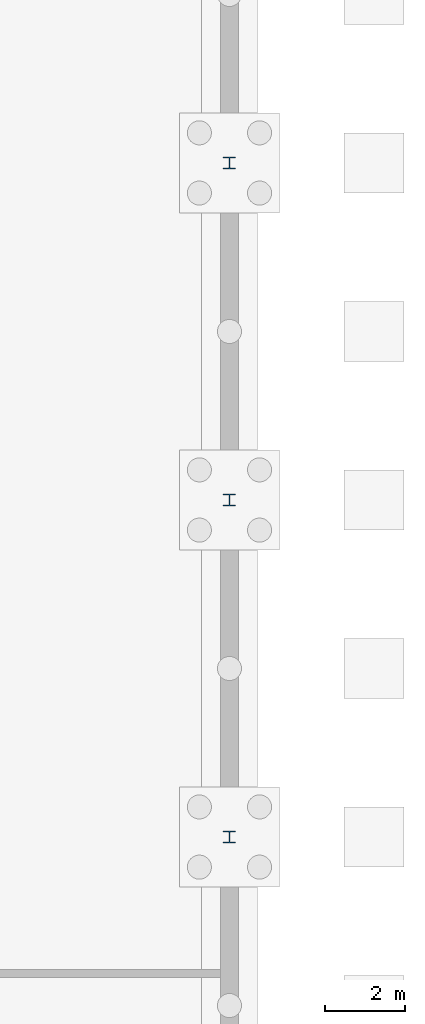
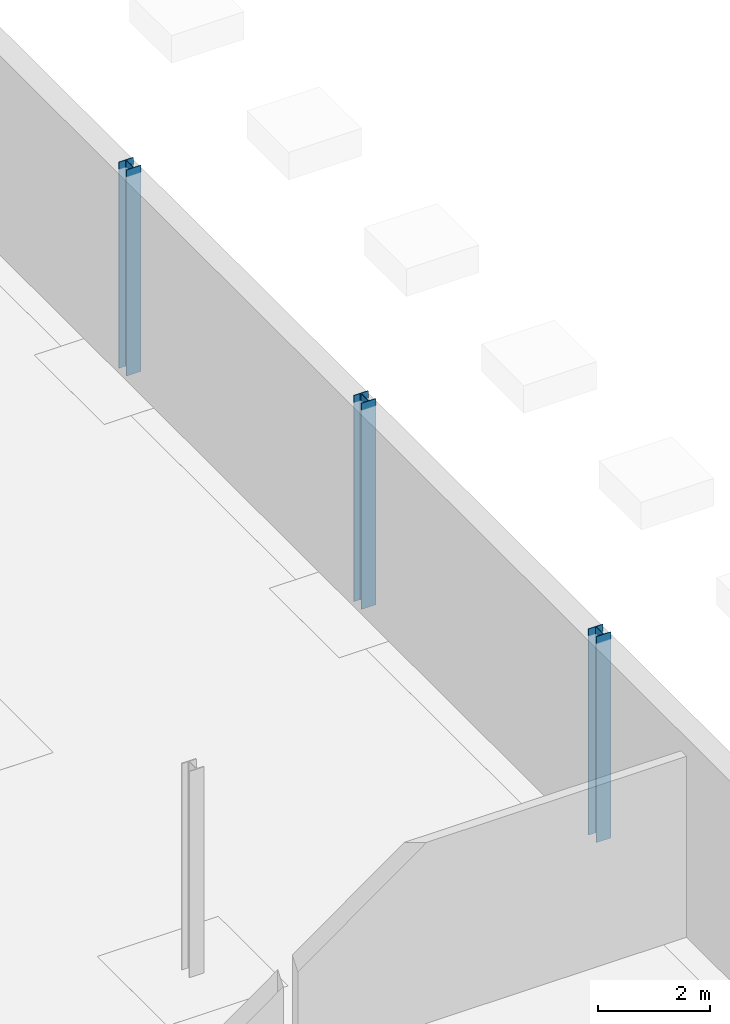
# One storey, part 15 of 35: 3 columns.
"""IFC4 building model written with IfcOpenShell, lengths in metres."""

import ifcopenshell
import ifcopenshell.guid

model = None  # the IFC model being written
_history = None  # IfcOwnerHistory: only IFC2X3 demands one
_inside = {}  # id of a spatial element -> (the spatial element, [elements in it])
_under = {}  # id of a project, library or spatial element -> (it, [spatial elements below it])
_declared = {}  # id of a project -> (the project, [libraries it declares])
_typed = {}  # id of a type object -> (the type object, [elements of that type])
_made_of = {}  # id of a material, layer set ... -> (it, [elements and type objects made of it])


def new_model(schema):
    """Start an empty IFC model of exactly this schema.

    Asked for "IFC4X3", IfcOpenShell would pick the latest addendum, in which some entities
    have other attributes; the version numbers below select the first issue.
    IFC2X3 requires an IfcOwnerHistory on every rooted entity: one is made here for all.
    """
    global model, _history
    if schema == "IFC4X3":
        model = ifcopenshell.file(schema_version=(4, 3, 0, 0))
    else:
        model = ifcopenshell.file(schema=schema)
    _inside.clear()
    _under.clear()
    _declared.clear()
    _typed.clear()
    _made_of.clear()
    _history = None
    if model.schema == "IFC2X3":
        org = make("IfcOrganization", Name="unknown")
        user = make(
            "IfcPersonAndOrganization",
            ThePerson=make("IfcPerson", FamilyName="unknown"),
            TheOrganization=org,
        )
        app = make(
            "IfcApplication",
            ApplicationDeveloper=org,
            Version="unknown",
            ApplicationFullName="unknown",
            ApplicationIdentifier="unknown",
        )
        _history = make(
            "IfcOwnerHistory",
            OwningUser=user,
            OwningApplication=app,
            ChangeAction="ADDED",
            CreationDate=0,
        )
    return model


def make(cls, **values):
    """One entity of the class cls with the attributes given. An attribute that is None is left unset."""
    return model.create_entity(
        cls, **{name: value for name, value in values.items() if value is not None}
    )


def rooted(cls, **values):
    """An entity with a GlobalId (a new one), such as an element, a storey or a relation."""
    return make(cls, GlobalId=ifcopenshell.guid.new(), OwnerHistory=_history, **values)


def si_unit(unit_type, name, prefix=None):
    """IfcSIUnit, for example si_unit("LENGTHUNIT", "METRE", prefix="MILLI")."""
    return make("IfcSIUnit", UnitType=unit_type, Prefix=prefix, Name=name)


def assignment(units):
    """IfcUnitAssignment: the units of a project."""
    return None if units is None else make("IfcUnitAssignment", Units=units)


def point(xyz):
    """IfcCartesianPoint."""
    return None if xyz is None else make("IfcCartesianPoint", Coordinates=xyz)


def direction(xyz):
    """IfcDirection."""
    return None if xyz is None else make("IfcDirection", DirectionRatios=xyz)


def frame(location, z_axis=None, x_axis=None):
    """IfcAxis2Placement3D, a coordinate frame: its origin and axes. An axis left out is left unset."""
    return make(
        "IfcAxis2Placement3D",
        Location=point(location),
        Axis=direction(z_axis),
        RefDirection=direction(x_axis),
    )


def frame_2d(location, x_axis=None):
    """IfcAxis2Placement2D, a coordinate frame in the plane: its origin and x axis."""
    return make(
        "IfcAxis2Placement2D", Location=point(location), RefDirection=direction(x_axis)
    )


def origin():
    """The frame at (0, 0, 0) with its axes left unset."""
    return frame((0.0, 0.0, 0.0))


def origin_2d():
    """The frame at (0, 0) in the plane with its x axis left unset."""
    return frame_2d((0.0, 0.0))


def place(relative_to, where):
    """IfcLocalPlacement: puts the frame where relative to a parent placement (None: the world)."""
    return make(
        "IfcLocalPlacement", PlacementRelTo=relative_to, RelativePlacement=where
    )


def context(
    kind, dimensions, precision=None, world=None, true_north=None, identifier=None
):
    """IfcGeometricRepresentationContext, for example the 3D "Model" context."""
    return make(
        "IfcGeometricRepresentationContext",
        ContextIdentifier=identifier,
        ContextType=kind,
        CoordinateSpaceDimension=dimensions,
        Precision=precision,
        WorldCoordinateSystem=world,
        TrueNorth=true_north,
    )


def subcontext(parent, identifier, kind, view, scale=None):
    """IfcGeometricRepresentationSubContext, for example "Body" below "Model"."""
    return make(
        "IfcGeometricRepresentationSubContext",
        ContextIdentifier=identifier,
        ContextType=kind,
        ParentContext=parent,
        TargetScale=scale,
        TargetView=view,
    )


def project(units=None, contexts=None):
    """IfcProject with its units and contexts."""
    return rooted(
        "IfcProject",
        Name="project",
        RepresentationContexts=contexts,
        UnitsInContext=assignment(units),
    )


def spatial(cls, under=None, at=None, **own):
    """A site, building, storey or space (cls), placed at a placement, below another one or the project."""
    s = rooted(cls, ObjectPlacement=at, **own)
    if under is not None:
        _under.setdefault(under.id(), (under, []))[1].append(s)
    return s


def profile(cls, at=None, kind="AREA", **sizes):
    """A parametric profile (cls). Its sizes go by their IFC names, for example OverallWidth=200.0."""
    return make(cls, ProfileType=kind, Position=at, **sizes)


def i_section(**sizes):
    """IfcIShapeProfileDef."""
    return profile("IfcIShapeProfileDef", **sizes)


def extrude(swept, where, along, depth):
    """IfcExtrudedAreaSolid: the profile swept, set in the frame where, extruded along a direction by depth."""
    return make(
        "IfcExtrudedAreaSolid",
        SweptArea=swept,
        Position=where,
        ExtrudedDirection=direction(along),
        Depth=depth,
    )


def shape(context_of_items, identifier, shape_type, items):
    """IfcShapeRepresentation: the items that make up one representation, for example the "Body"."""
    return make(
        "IfcShapeRepresentation",
        ContextOfItems=context_of_items,
        RepresentationIdentifier=identifier,
        RepresentationType=shape_type,
        Items=items,
    )


def material(Name=None, Category=None):
    """IfcMaterial."""
    return make("IfcMaterial", Name=Name, Category=Category)


def material_profile(
    of_material, cross_section, Name=None, Category=None, Priority=None
):
    """IfcMaterialProfile: a cross section and its material."""
    return make(
        "IfcMaterialProfile",
        Name=Name,
        Material=of_material,
        Profile=cross_section,
        Priority=Priority,
        Category=Category,
    )


def profile_set(profiles, Name=None, composite=None):
    """IfcMaterialProfileSet."""
    return make(
        "IfcMaterialProfileSet",
        Name=Name,
        MaterialProfiles=profiles,
        CompositeProfile=composite,
    )


def made_of(thing, what):
    """Note that an element or type object is made of a material, layer set ...; save() writes the relation."""
    if what is not None:
        _made_of.setdefault(what.id(), (what, []))[1].append(thing)
    return thing


def type_object(cls, material=None, **own):
    """A type object (cls), such as IfcWallType, which elements share."""
    return made_of(rooted(cls, **own), material)


def element(
    cls,
    number,
    at=None,
    inside=None,
    cuts=None,
    type_object=None,
    material=None,
    context=None,
    identifier="Body",
    shape_type=None,
    held_by="IfcProductDefinitionShape",
    body=None,
    shapes=None,
    **own,
):
    """One element of the class cls, such as IfcWall. Its Tag is "e" and its number.

    at: its placement. inside: the storey or other place that contains it. cuts: it is an
    opening in that element (IfcRelVoidsElement). A single representation is given by context,
    identifier, shape_type and body (its items); several are given by shapes. held_by: the class
    of the entity that holds the representations. save() writes the other relations.
    """
    e = rooted(cls, Tag="e%d" % number, ObjectPlacement=at, **own)
    if body is not None:
        shapes = [shape(context, identifier, shape_type, body)]
    if shapes is not None:
        e.Representation = make(held_by, Representations=shapes)
    if inside is not None:
        _inside.setdefault(inside.id(), (inside, []))[1].append(e)
    if cuts is not None:
        rooted(
            "IfcRelVoidsElement", RelatingBuildingElement=cuts, RelatedOpeningElement=e
        )
    if type_object is not None:
        _typed.setdefault(type_object.id(), (type_object, []))[1].append(e)
    return made_of(e, material)


def aggregate(whole, parts):
    """IfcRelAggregates: a whole, such as a stair, and the parts it consists of."""
    return rooted("IfcRelAggregates", RelatingObject=whole, RelatedObjects=parts)


def save(model, path):
    """Write the relations noted so far, then the file.

    IfcRelAggregates (storeys below a building ...), IfcRelContainedInSpatialStructure (elements
    in a storey), IfcRelDefinesByType, IfcRelAssociatesMaterial and IfcRelDeclares: one each for
    every whole, place, type object, material and project.
    """
    for whole, parts in _under.values():
        aggregate(whole, parts)
    for where, things in _inside.values():
        rooted(
            "IfcRelContainedInSpatialStructure",
            RelatedElements=things,
            RelatingStructure=where,
        )
    for kind, things in _typed.values():
        rooted("IfcRelDefinesByType", RelatedObjects=things, RelatingType=kind)
    for what, things in _made_of.values():
        rooted("IfcRelAssociatesMaterial", RelatedObjects=things, RelatingMaterial=what)
    for by, libraries in _declared.values():
        rooted("IfcRelDeclares", RelatingContext=by, RelatedDefinitions=libraries)
    model.write(path)


model = new_model("IFC4")

# Units and contexts
model_context = context("Model", 3, precision=1e-05, world=origin(), true_north=direction((0.0, 1.0)))
body_context = subcontext(model_context, "Body", "Model", "MODEL_VIEW")
ifc_project = project(units=[si_unit("LENGTHUNIT", "METRE"), si_unit("AREAUNIT", "SQUARE_METRE"), si_unit("VOLUMEUNIT", "CUBIC_METRE"), si_unit("PLANEANGLEUNIT", "RADIAN"), si_unit("MASSUNIT", "GRAM", prefix="KILO")], contexts=[model_context])

# Site, building, storey
site_placement = place(None, origin())
site = spatial("IfcSite", under=ifc_project, at=site_placement, CompositionType="ELEMENT")
building_placement = place(site_placement, origin())
building = spatial("IfcBuilding", under=site, at=building_placement, Name="Ardhachandra Cancer Care Centre", CompositionType="ELEMENT")
storey_placement = place(building_placement, frame((0.0, 0.0, -4.5)))
storey = spatial("IfcBuildingStorey", under=building, at=storey_placement, Name="B1", CompositionType="ELEMENT", Elevation=-4.5)

# Columns
ifc_material = material(Name="Steel E350 (IS 2062)", Category="steel")
ifc_material_profile = material_profile(ifc_material, i_section(OverallWidth=0.300048828125, OverallDepth=0.2900390625, WebThickness=0.008544921875, FlangeThickness=0.013916015625, FilletRadius=0.027099609375, at=origin_2d()), Name="WPB 300x300x88.33")
ifc_profile_set = profile_set([ifc_material_profile], Name="Steel E350 (IS 2062)")
column_type = type_object("IfcColumnType", Name="Column WPB 300x300x88.33", PredefinedType="COLUMN", material=ifc_profile_set)
for number, where, z_axis, x_axis, name in (
    (1, (145.199951171875, 46.199951171875, 0.0), (0.0, 0.0, 1.0), (1.0, 0.0, 0.0), "Column E17 B1"),
    (2, (145.199951171875, 54.60009765625, 0.0), (0.0, 0.0, 1.0), (1.0, 0.0, 0.0), "Column F17 B1"),
    (3, (145.199951171875, 63.0, 0.0), (0.0, 0.0, 1.0), (1.0, 0.0, 0.0), "Column G17 B1"),
):
    element("IfcColumn", number, at=place(storey_placement, frame(where, z_axis=z_axis, x_axis=x_axis)), inside=storey, type_object=column_type, Name=name, PredefinedType="COLUMN", context=body_context, shape_type="SweptSolid", body=[
        extrude(i_section(OverallWidth=0.300048828125, OverallDepth=0.2900390625, WebThickness=0.008544921875, FlangeThickness=0.013916015625, FilletRadius=0.027099609375, at=origin_2d()), origin(), (0.0, 0.0, 1.0), 4.5),
    ])

save(model, "model.ifc")
